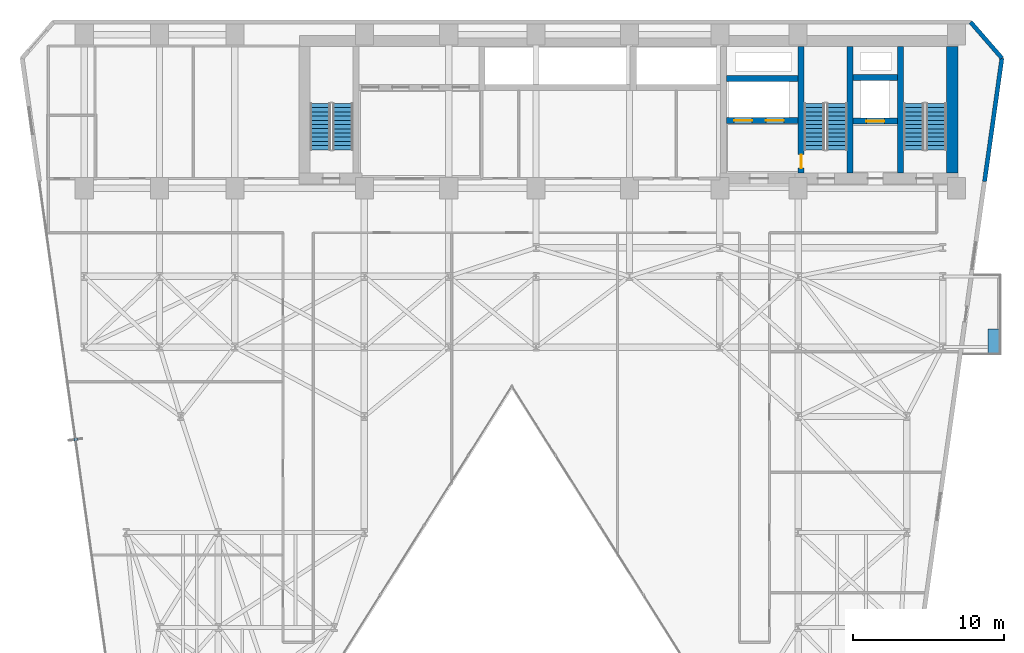
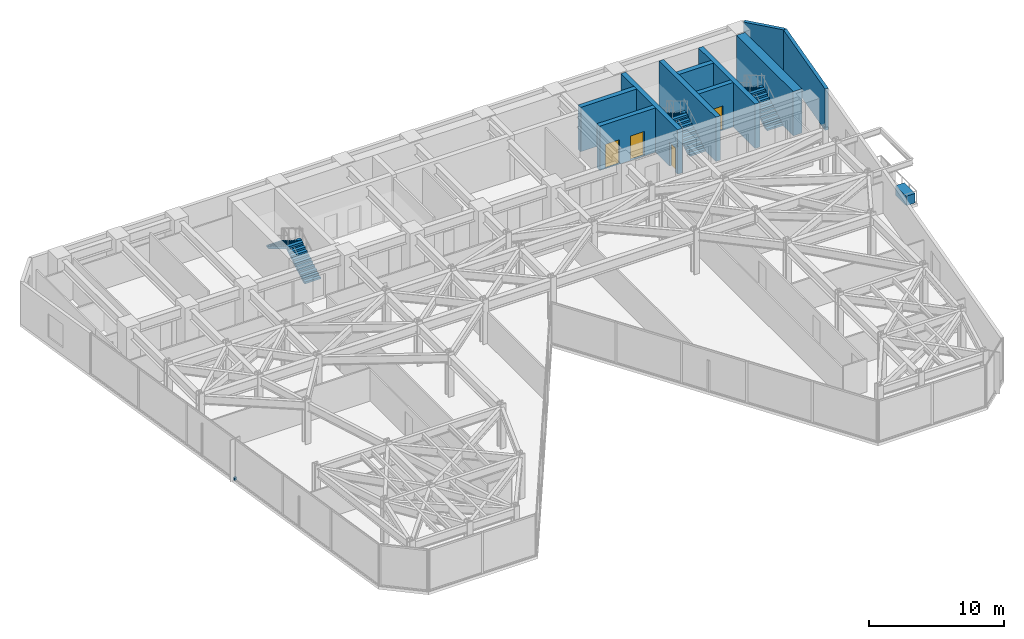
# One storey, part 21 of 25: 10 walls, 6 stair flights, 4 doors, 2 discrete accessories, 4 openings, 3 elements without a shape of their own.
"""IFC4 building model written with IfcOpenShell, lengths in metres."""

from ifc_helpers import new_model, si_unit, direction, frame, frame_2d, origin, origin_2d, place, context, subcontext, project, spatial, polyline, rectangle, outline, extrude, material, layer, layer_set, type_object, element, fill, aggregate, save


model = new_model("IFC4")

# Units and contexts
model_context = context("Model", 3, precision=1e-05, world=origin(), true_north=direction((0.0, 1.0)))
body_context = subcontext(model_context, "Body", "Model", "MODEL_VIEW")
ifc_project = project(units=[si_unit("LENGTHUNIT", "METRE"), si_unit("AREAUNIT", "SQUARE_METRE"), si_unit("VOLUMEUNIT", "CUBIC_METRE"), si_unit("PLANEANGLEUNIT", "RADIAN"), si_unit("MASSUNIT", "GRAM", prefix="KILO")], contexts=[model_context])

# Site, building, storey
site_placement = place(None, origin())
site = spatial("IfcSite", under=ifc_project, at=site_placement, CompositionType="ELEMENT")
building_placement = place(site_placement, origin())
building = spatial("IfcBuilding", under=site, at=building_placement, Name="Kravanh Interchange Tower", CompositionType="ELEMENT")
storey_placement = place(building_placement, frame((0.0, 0.0, 41.5)))
storey = spatial("IfcBuildingStorey", under=building, at=storey_placement, Name="L09", CompositionType="ELEMENT", Elevation=41.5)

# Walls
ifc_material_1 = material(Name="Concrete C80/95", Category="concrete")
ifc_layer_1 = layer(ifc_material_1, 0.39990234375)
ifc_layer_set_1 = layer_set([ifc_layer_1], Name="Core Shear Wall Concrete C80/95 400mm")
wall_type_1 = type_object("IfcWallType", Name="Core Shear Wall Concrete C80/95 400mm", PredefinedType="SHEAR", material=ifc_layer_set_1)
for number, where, z_axis, x_axis, name in (
    (1, (62.800048828125, 38.375, 0.0), (0.0, 0.0, 1.0), (0.0, 1.0, 0.0), "L09 Stair ST1 West Shear Wall"),
    (2, (59.449951171875, 38.375, 0.0), (0.0, 0.0, 1.0), (0.0, 1.0, 0.0), "L09 Stair ST2 East Shear Wall"),
):
    element("IfcWall", number, at=place(storey_placement, frame(where, z_axis=z_axis, x_axis=x_axis)), inside=storey, type_object=wall_type_1, Name=name, PredefinedType="SHEAR", context=body_context, shape_type="SweptSolid", body=[
        extrude(rectangle(XDim=8.375, YDim=0.39990234375, at=frame_2d((4.1875, 0.0))), origin(), (0.0, 0.0, 1.0), 4.0),
    ])

# Wall, opening, door
wall_1_placement = place(storey_placement, frame((56.199951171875, 38.375, 0.0), z_axis=(0.0, 0.0, 1.0), x_axis=(0.0, 1.0, 0.0)))
wall_1 = element("IfcWall", 3, at=wall_1_placement, inside=storey, type_object=wall_type_1, Name="L09 Stair ST2 West Shear Wall", PredefinedType="SHEAR", context=body_context, shape_type="SweptSolid", body=[
    extrude(rectangle(XDim=8.375, YDim=0.39990234375, at=frame_2d((4.1875, 0.0))), origin(), (0.0, 0.0, 1.0), 4.0),
])
opening_1_placement = place(wall_1_placement, frame((0.304931640625, 0.0, 0.0)))
opening_1 = element("IfcOpeningElement", 4, at=opening_1_placement, cuts=wall_1, Name="Opening D-STAIR-90", PredefinedType="OPENING", context=body_context, shape_type="SweptSolid", body=[
    extrude(rectangle(XDim=0.89990234375, YDim=2.14990234375, at=frame_2d((0.449951171875, 1.074951171875))), frame((0.0, 0.2099609375, 0.0), z_axis=(0.0, -1.0, 0.0), x_axis=(1.0, 0.0, 0.0)), (0.0, 0.0, 1.0), 0.419921875),
])
ifc_material_2 = material(Name="Structural Steel S355", Category="steel")
door_type_1 = type_object("IfcDoorType", Name="Fire-Rated Stair Lobby Door 900x2150", OperationType="NOTDEFINED", PredefinedType="DOOR", material=ifc_material_2)
door_1_placement = place(opening_1_placement, origin())
door_1 = element("IfcDoor", 5, at=door_1_placement, inside=storey, type_object=door_type_1, Name="L09 Firefighting Lobby to Stair ST2 Door", OperationType="SINGLE_SWING_LEFT", OverallHeight=2.14990234375, OverallWidth=0.89990234375, PredefinedType="DOOR", context=body_context, shape_type="SweptSolid", body=[
    extrude(rectangle(XDim=0.89990234375, YDim=2.14990234375, at=frame_2d((0.449951171875, 1.074951171875))), frame((0.0, 0.02490234375, 0.0), z_axis=(0.0, -1.0, 0.0), x_axis=(1.0, 0.0, 0.0)), (0.0, 0.0, 1.0), 0.050048828125),
])
fill(opening_1, door_1)

wall_2_placement = place(storey_placement, frame((59.64990234375, 41.800048828125, 0.0), z_axis=(0.0, 0.0, 1.0), x_axis=(1.0, 0.0, 0.0)))
wall_2 = element("IfcWall", 6, at=wall_2_placement, inside=storey, type_object=wall_type_1, Name="L09 Service Lift Shaft South Wall", PredefinedType="SHEAR", context=body_context, shape_type="SweptSolid", body=[
    extrude(rectangle(XDim=2.9501953125, YDim=0.39990234375, at=frame_2d((1.47509765625, 0.0))), origin(), (0.0, 0.0, 1.0), 4.0),
])
opening_2_placement = place(wall_2_placement, frame((0.8701171875, 0.0, 0.0)))
opening_2 = element("IfcOpeningElement", 7, at=opening_2_placement, cuts=wall_2, Name="Opening LD02", PredefinedType="OPENING", context=body_context, shape_type="SweptSolid", body=[
    extrude(rectangle(XDim=1.199951171875, YDim=2.199951171875, at=frame_2d((0.60009765625, 1.10009765625))), frame((0.0, 0.2099609375, 0.0), z_axis=(0.0, -1.0, 0.0), x_axis=(1.0, 0.0, 0.0)), (0.0, 0.0, 1.0), 0.419921875),
])
ifc_material_3 = material(Name="Stainless Steel 316", Category="steel")
door_type_2 = type_object("IfcDoorType", Name="Fire and Service Lift Sliding Landing Door 1200x2200", OperationType="DOUBLE_DOOR_SLIDING", PredefinedType="DOOR", material=ifc_material_3)
door_2_placement = place(opening_2_placement, origin())
door_2 = element("IfcDoor", 8, at=door_2_placement, inside=storey, type_object=door_type_2, Name="L09 Lift LS-01 Landing Door", OperationType="DOUBLE_DOOR_SLIDING", OverallHeight=2.199951171875, OverallWidth=1.199951171875, PredefinedType="DOOR", context=body_context, shape_type="SweptSolid", body=[
    extrude(rectangle(XDim=1.199951171875, YDim=2.199951171875, at=frame_2d((0.60009765625, 1.10009765625))), frame((0.0, 0.02490234375, 0.0), z_axis=(0.0, -1.0, 0.0), x_axis=(1.0, 0.0, 0.0)), (0.0, 0.0, 1.0), 0.050048828125),
])
fill(opening_2, door_2)

# Wall
wall_3_placement = place(storey_placement, frame((59.64990234375, 44.699951171875, 0.0), z_axis=(0.0, 0.0, 1.0), x_axis=(1.0, 0.0, 0.0)))
element("IfcWall", 9, at=wall_3_placement, inside=storey, type_object=wall_type_1, Name="L09 Service Lift Shaft North Wall", PredefinedType="SHEAR", context=body_context, shape_type="SweptSolid", body=[
    extrude(rectangle(XDim=2.9501953125, YDim=0.39990234375, at=frame_2d((1.47509765625, 0.0))), origin(), (0.0, 0.0, 1.0), 4.0),
])

# Wall, openings, doors
wall_4_placement = place(storey_placement, frame((51.25, 41.85009765625, 0.0), z_axis=(0.0, 0.0, 1.0), x_axis=(1.0, 0.0, 0.0)))
wall_4 = element("IfcWall", 10, at=wall_4_placement, inside=storey, type_object=wall_type_1, Name="L09 Fire Lift Shaft South Wall", PredefinedType="SHEAR", context=body_context, shape_type="SweptSolid", body=[
    extrude(rectangle(XDim=4.75, YDim=0.39990234375, at=frame_2d((2.375, 0.0))), origin(), (0.0, 0.0, 1.0), 4.0),
])
opening_3_placement = place(wall_4_placement, frame((0.5, 0.0, 0.0)))
opening_3 = element("IfcOpeningElement", 11, at=opening_3_placement, cuts=wall_4, Name="Opening LD02", PredefinedType="OPENING", context=body_context, shape_type="SweptSolid", body=[
    extrude(rectangle(XDim=1.199951171875, YDim=2.199951171875, at=frame_2d((0.60009765625, 1.10009765625))), frame((0.0, 0.2099609375, 0.0), z_axis=(0.0, -1.0, 0.0), x_axis=(1.0, 0.0, 0.0)), (0.0, 0.0, 1.0), 0.419921875),
])
opening_4_placement = place(wall_4_placement, frame((2.60009765625, 0.0, 0.0)))
opening_4 = element("IfcOpeningElement", 12, at=opening_4_placement, cuts=wall_4, Name="Opening LD02", PredefinedType="OPENING", context=body_context, shape_type="SweptSolid", body=[
    extrude(rectangle(XDim=1.199951171875, YDim=2.199951171875, at=frame_2d((0.60009765625, 1.10009765625))), frame((0.0, 0.2099609375, 0.0), z_axis=(0.0, -1.0, 0.0), x_axis=(1.0, 0.0, 0.0)), (0.0, 0.0, 1.0), 0.419921875),
])
door_3_placement = place(opening_3_placement, origin())
door_3 = element("IfcDoor", 13, at=door_3_placement, inside=storey, type_object=door_type_2, Name="L09 Lift FSAE-01 Landing Door", OperationType="DOUBLE_DOOR_SLIDING", OverallHeight=2.199951171875, OverallWidth=1.199951171875, PredefinedType="DOOR", context=body_context, shape_type="SweptSolid", body=[
    extrude(rectangle(XDim=1.199951171875, YDim=2.199951171875, at=frame_2d((0.60009765625, 1.10009765625))), frame((0.0, 0.02490234375, 0.0), z_axis=(0.0, -1.0, 0.0), x_axis=(1.0, 0.0, 0.0)), (0.0, 0.0, 1.0), 0.050048828125),
])
fill(opening_3, door_3)
door_4_placement = place(opening_4_placement, origin())
door_4 = element("IfcDoor", 14, at=door_4_placement, inside=storey, type_object=door_type_2, Name="L09 Lift FSAE-02 Landing Door", OperationType="DOUBLE_DOOR_SLIDING", OverallHeight=2.199951171875, OverallWidth=1.199951171875, PredefinedType="DOOR", context=body_context, shape_type="SweptSolid", body=[
    extrude(rectangle(XDim=1.199951171875, YDim=2.199951171875, at=frame_2d((0.60009765625, 1.10009765625))), frame((0.0, 0.02490234375, 0.0), z_axis=(0.0, -1.0, 0.0), x_axis=(1.0, 0.0, 0.0)), (0.0, 0.0, 1.0), 0.050048828125),
])
fill(opening_4, door_4)

# Walls
wall_5_placement = place(storey_placement, frame((51.25, 44.64990234375, 0.0), z_axis=(0.0, 0.0, 1.0), x_axis=(1.0, 0.0, 0.0)))
element("IfcWall", 15, at=wall_5_placement, inside=storey, type_object=wall_type_1, Name="L09 Fire Lift Shaft North Wall", PredefinedType="SHEAR", context=body_context, shape_type="SweptSolid", body=[
    extrude(rectangle(XDim=4.75, YDim=0.39990234375, at=frame_2d((2.375, 0.0))), origin(), (0.0, 0.0, 1.0), 4.0),
])
ifc_material_4 = material(Name="Concrete C80/95", Category="concrete")
ifc_layer_2 = layer(ifc_material_4, 0.75)
ifc_layer_set_2 = layer_set([ifc_layer_2], Name="Core Shear Wall Concrete C80/95 750mm")
wall_type_2 = type_object("IfcWallType", Name="Core Shear Wall Concrete C80/95 750mm", PredefinedType="SHEAR", material=ifc_layer_set_2)
wall_6_placement = place(storey_placement, frame((66.22509765625, 38.375, 0.0), z_axis=(0.0, 0.0, 1.0), x_axis=(0.0, 1.0, 0.0)))
element("IfcWall", 16, at=wall_6_placement, inside=storey, type_object=wall_type_2, Name="L09 Stair ST1 East Shear Wall", PredefinedType="SHEAR", context=body_context, shape_type="SweptSolid", body=[
    extrude(rectangle(XDim=8.375, YDim=0.75, at=frame_2d((4.1875, 0.0))), origin(), (0.0, 0.0, 1.0), 4.0),
])
ifc_material_5 = material(Name="Insulated Precast Concrete C40/50 with Bronze Cladding", Category="concrete")
ifc_layer_3 = layer(ifc_material_5, 0.280029296875)
ifc_layer_set_3 = layer_set([ifc_layer_3], Name="Exterior Insulated Concrete C40/50 Bronze Spandrel Wall 280mm")
wall_type_3 = type_object("IfcWallType", Name="Exterior Insulated Concrete C40/50 Bronze Spandrel Wall 280mm", PredefinedType="STANDARD", material=ifc_layer_set_3)
wall_7_placement = place(storey_placement, frame((67.4453125, 48.3798828125, 0.0), z_axis=(0.0, 0.0, 1.0), x_axis=(0.656070053895, -0.754699996278, 0.0)))
element("IfcWall", 17, at=wall_7_placement, inside=storey, type_object=wall_type_3, Name="L09 Exterior Wall 4", PredefinedType="STANDARD", context=body_context, shape_type="SweptSolid", body=[
    extrude(rectangle(XDim=3.1708984375, YDim=0.280029296875, at=frame_2d((1.58544921875, 0.0))), origin(), (0.0, 0.0, 1.0), 3.739990234375),
])
wall_8_placement = place(storey_placement, frame((69.525634765625, 45.98681640625, 0.0), z_axis=(0.0, 0.0, 1.0), x_axis=(-0.139180172484, -0.990267074878, 0.0)))
element("IfcWall", 18, at=wall_8_placement, inside=storey, type_object=wall_type_3, Name="L09 Exterior Wall 5", PredefinedType="STANDARD", context=body_context, shape_type="SweptSolid", body=[
    extrude(rectangle(XDim=8.267333984375, YDim=0.280029296875, at=frame_2d((4.1337890625, 0.0))), origin(), (0.0, 0.0, 1.0), 3.739990234375),
])

# Stair, stair flights
ifc_material_6 = material(Name="Concrete C50/60", Category="concrete")
stair_type = type_object("IfcStairType", Name="Core Fire Exit Dogleg Stair Concrete C50/60", PredefinedType="HALF_TURN_STAIR", material=ifc_material_6)
stair_1_placement = place(storey_placement, origin())
stair_1 = element("IfcStair", 19, at=stair_1_placement, inside=storey, type_object=stair_type, Name="L09 Exit Stair ST1", PredefinedType="HALF_TURN_STAIR")
ifc_material_7 = material(Name="Precast Concrete C50/60", Category="concrete")
ifc_layer_4 = layer(ifc_material_7, 0.199951171875)
ifc_layer_set_4 = layer_set([ifc_layer_4], Name="Precast Concrete C50/60 Stair Flight 1350mm")
stair_flight_type = type_object("IfcStairFlightType", Name="Precast Concrete C50/60 Stair Flight 1350mm", PredefinedType="STRAIGHT", material=ifc_layer_set_4)
stair_flight_1_placement = place(storey_placement, frame((65.175048828125, 39.89990234375, 0.0), z_axis=(0.0, 0.0, 1.0), x_axis=(0.0, 1.0, 0.0)))
stair_flight_1 = element("IfcStairFlight", 20, at=stair_flight_1_placement, type_object=stair_flight_type, Name="ST1 flight 1", NumberOfRisers=12, NumberOfTreads=11, PredefinedType="STRAIGHT", RiserHeight=0.166666667, TreadLength=0.28, context=body_context, shape_type="SweptSolid", body=[
    extrude(outline(polyline([(0.0, 0.0), (0.0, 0.166748046875), (0.280029296875, 0.166748046875), (0.280029296875, 0.333251953125), (0.56005859375, 0.333251953125), (0.56005859375, 0.5), (0.840087890625, 0.5), (0.840087890625, 0.666748046875), (1.1201171875, 0.666748046875), (1.1201171875, 0.833251953125), (1.39990234375, 0.833251953125), (1.39990234375, 1.0), (1.679931640625, 1.0), (1.679931640625, 1.166748046875), (1.9599609375, 1.166748046875), (1.9599609375, 1.333251953125), (2.239990234375, 1.333251953125), (2.239990234375, 1.5), (2.52001953125, 1.5), (2.52001953125, 1.666748046875), (2.800048828125, 1.666748046875), (2.800048828125, 1.833251953125), (3.080078125, 1.833251953125), (3.080078125, 2.0), (3.080078125, 1.658935546875), (0.29296875, 0.0), (0.0, 0.0)])), frame((0.0, 0.675048828125, 0.0), z_axis=(0.0, -1.0, 0.0), x_axis=(1.0, 0.0, 0.0)), (0.0, 0.0, 1.0), 1.35009765625),
])
stair_flight_2_placement = place(storey_placement, frame((63.675048828125, 42.97998046875, 2.0), z_axis=(0.0, 0.0, 1.0), x_axis=(0.0, -1.0, 0.0)))
stair_flight_2 = element("IfcStairFlight", 21, at=stair_flight_2_placement, type_object=stair_flight_type, Name="ST1 flight 2", NumberOfRisers=12, NumberOfTreads=11, PredefinedType="STRAIGHT", RiserHeight=0.166666667, TreadLength=0.28, context=body_context, shape_type="SweptSolid", body=[
    extrude(outline(polyline([(0.0, 0.0), (0.0, 0.166748046875), (0.280029296875, 0.166748046875), (0.280029296875, 0.333251953125), (0.56005859375, 0.333251953125), (0.56005859375, 0.5), (0.840087890625, 0.5), (0.840087890625, 0.666748046875), (1.1201171875, 0.666748046875), (1.1201171875, 0.833251953125), (1.39990234375, 0.833251953125), (1.39990234375, 1.0), (1.679931640625, 1.0), (1.679931640625, 1.166748046875), (1.9599609375, 1.166748046875), (1.9599609375, 1.333251953125), (2.239990234375, 1.333251953125), (2.239990234375, 1.5), (2.52001953125, 1.5), (2.52001953125, 1.666748046875), (2.800048828125, 1.666748046875), (2.800048828125, 1.833251953125), (3.080078125, 1.833251953125), (3.080078125, 2.0), (3.080078125, 1.658935546875), (0.29296875, 0.0), (0.0, 0.0)])), frame((0.0, 0.675048828125, 0.0), z_axis=(0.0, -1.0, 0.0), x_axis=(1.0, 0.0, 0.0)), (0.0, 0.0, 1.0), 1.35009765625),
])
aggregate(stair_1, [stair_flight_1, stair_flight_2])

stair_2_placement = place(storey_placement, origin())
stair_2 = element("IfcStair", 22, at=stair_2_placement, inside=storey, type_object=stair_type, Name="L09 Exit Stair ST2", PredefinedType="HALF_TURN_STAIR")
stair_flight_3_placement = place(storey_placement, frame((58.574951171875, 39.89990234375, 0.0), z_axis=(0.0, 0.0, 1.0), x_axis=(0.0, 1.0, 0.0)))
stair_flight_3 = element("IfcStairFlight", 23, at=stair_flight_3_placement, type_object=stair_flight_type, Name="ST2 flight 1", NumberOfRisers=12, NumberOfTreads=11, PredefinedType="STRAIGHT", RiserHeight=0.166666667, TreadLength=0.28, context=body_context, shape_type="SweptSolid", body=[
    extrude(outline(polyline([(0.0, 0.0), (0.0, 0.166748046875), (0.280029296875, 0.166748046875), (0.280029296875, 0.333251953125), (0.56005859375, 0.333251953125), (0.56005859375, 0.5), (0.840087890625, 0.5), (0.840087890625, 0.666748046875), (1.1201171875, 0.666748046875), (1.1201171875, 0.833251953125), (1.39990234375, 0.833251953125), (1.39990234375, 1.0), (1.679931640625, 1.0), (1.679931640625, 1.166748046875), (1.9599609375, 1.166748046875), (1.9599609375, 1.333251953125), (2.239990234375, 1.333251953125), (2.239990234375, 1.5), (2.52001953125, 1.5), (2.52001953125, 1.666748046875), (2.800048828125, 1.666748046875), (2.800048828125, 1.833251953125), (3.080078125, 1.833251953125), (3.080078125, 2.0), (3.080078125, 1.658935546875), (0.29296875, 0.0), (0.0, 0.0)])), frame((0.0, 0.675048828125, 0.0), z_axis=(0.0, -1.0, 0.0), x_axis=(1.0, 0.0, 0.0)), (0.0, 0.0, 1.0), 1.35009765625),
])
stair_flight_4_placement = place(storey_placement, frame((57.074951171875, 42.97998046875, 2.0), z_axis=(0.0, 0.0, 1.0), x_axis=(0.0, -1.0, 0.0)))
stair_flight_4 = element("IfcStairFlight", 24, at=stair_flight_4_placement, type_object=stair_flight_type, Name="ST2 flight 2", NumberOfRisers=12, NumberOfTreads=11, PredefinedType="STRAIGHT", RiserHeight=0.166666667, TreadLength=0.28, context=body_context, shape_type="SweptSolid", body=[
    extrude(outline(polyline([(0.0, 0.0), (0.0, 0.166748046875), (0.280029296875, 0.166748046875), (0.280029296875, 0.333251953125), (0.56005859375, 0.333251953125), (0.56005859375, 0.5), (0.840087890625, 0.5), (0.840087890625, 0.666748046875), (1.1201171875, 0.666748046875), (1.1201171875, 0.833251953125), (1.39990234375, 0.833251953125), (1.39990234375, 1.0), (1.679931640625, 1.0), (1.679931640625, 1.166748046875), (1.9599609375, 1.166748046875), (1.9599609375, 1.333251953125), (2.239990234375, 1.333251953125), (2.239990234375, 1.5), (2.52001953125, 1.5), (2.52001953125, 1.666748046875), (2.800048828125, 1.666748046875), (2.800048828125, 1.833251953125), (3.080078125, 1.833251953125), (3.080078125, 2.0), (3.080078125, 1.658935546875), (0.29296875, 0.0), (0.0, 0.0)])), frame((0.0, 0.675048828125, 0.0), z_axis=(0.0, -1.0, 0.0), x_axis=(1.0, 0.0, 0.0)), (0.0, 0.0, 1.0), 1.35009765625),
])
aggregate(stair_2, [stair_flight_3, stair_flight_4])

stair_3_placement = place(storey_placement, origin())
stair_3 = element("IfcStair", 25, at=stair_3_placement, inside=storey, type_object=stair_type, Name="L09 Exit Stair ST3", PredefinedType="HALF_TURN_STAIR")
stair_flight_5_placement = place(storey_placement, frame((25.77490234375, 39.89990234375, 0.0), z_axis=(0.0, 0.0, 1.0), x_axis=(0.0, 1.0, 0.0)))
stair_flight_5 = element("IfcStairFlight", 26, at=stair_flight_5_placement, type_object=stair_flight_type, Name="ST3 flight 1", NumberOfRisers=12, NumberOfTreads=11, PredefinedType="STRAIGHT", RiserHeight=0.166666667, TreadLength=0.28, context=body_context, shape_type="SweptSolid", body=[
    extrude(outline(polyline([(0.0, 0.0), (0.0, 0.166748046875), (0.280029296875, 0.166748046875), (0.280029296875, 0.333251953125), (0.56005859375, 0.333251953125), (0.56005859375, 0.5), (0.840087890625, 0.5), (0.840087890625, 0.666748046875), (1.1201171875, 0.666748046875), (1.1201171875, 0.833251953125), (1.39990234375, 0.833251953125), (1.39990234375, 1.0), (1.679931640625, 1.0), (1.679931640625, 1.166748046875), (1.9599609375, 1.166748046875), (1.9599609375, 1.333251953125), (2.239990234375, 1.333251953125), (2.239990234375, 1.5), (2.52001953125, 1.5), (2.52001953125, 1.666748046875), (2.800048828125, 1.666748046875), (2.800048828125, 1.833251953125), (3.080078125, 1.833251953125), (3.080078125, 2.0), (3.080078125, 1.658935546875), (0.29296875, 0.0), (0.0, 0.0)])), frame((0.0, 0.675048828125, 0.0), z_axis=(0.0, -1.0, 0.0), x_axis=(1.0, 0.0, 0.0)), (0.0, 0.0, 1.0), 1.35009765625),
])
stair_flight_6_placement = place(storey_placement, frame((24.27490234375, 42.97998046875, 2.0), z_axis=(0.0, 0.0, 1.0), x_axis=(0.0, -1.0, 0.0)))
stair_flight_6 = element("IfcStairFlight", 27, at=stair_flight_6_placement, type_object=stair_flight_type, Name="ST3 flight 2", NumberOfRisers=12, NumberOfTreads=11, PredefinedType="STRAIGHT", RiserHeight=0.166666667, TreadLength=0.28, context=body_context, shape_type="SweptSolid", body=[
    extrude(outline(polyline([(0.0, 0.0), (0.0, 0.166748046875), (0.280029296875, 0.166748046875), (0.280029296875, 0.333251953125), (0.56005859375, 0.333251953125), (0.56005859375, 0.5), (0.840087890625, 0.5), (0.840087890625, 0.666748046875), (1.1201171875, 0.666748046875), (1.1201171875, 0.833251953125), (1.39990234375, 0.833251953125), (1.39990234375, 1.0), (1.679931640625, 1.0), (1.679931640625, 1.166748046875), (1.9599609375, 1.166748046875), (1.9599609375, 1.333251953125), (2.239990234375, 1.333251953125), (2.239990234375, 1.5), (2.52001953125, 1.5), (2.52001953125, 1.666748046875), (2.800048828125, 1.666748046875), (2.800048828125, 1.833251953125), (3.080078125, 1.833251953125), (3.080078125, 2.0), (3.080078125, 1.658935546875), (0.29296875, 0.0), (0.0, 0.0)])), frame((0.0, 0.675048828125, 0.0), z_axis=(0.0, -1.0, 0.0), x_axis=(1.0, 0.0, 0.0)), (0.0, 0.0, 1.0), 1.35009765625),
])
aggregate(stair_3, [stair_flight_5, stair_flight_6])

# Discrete accessories
ifc_material_8 = material(Name="Stainless Steel 316", Category="steel")
discrete_accessory_type_1 = type_object("IfcDiscreteAccessoryType", Name="Solar Fin Curtain-Wall Mounting Bracket Stainless 316", PredefinedType="BRACKET", material=ifc_material_8)
discrete_accessory_1_placement = place(storey_placement, frame((8.03271484375, 20.66845703125, 0.0), z_axis=(0.0, 0.0, 1.0), x_axis=(-0.990267798532, -0.139175023587, 0.0)))
element("IfcDiscreteAccessory", 28, at=discrete_accessory_1_placement, inside=storey, type_object=discrete_accessory_type_1, Name="L09 Solar Fin Mounting Bracket 1", PredefinedType="BRACKET", context=body_context, shape_type="SweptSolid", body=[
    extrude(rectangle(XDim=0.239990234375, YDim=0.179931640625, at=origin_2d()), origin(), (0.0, 0.0, 1.0), 0.219970703125),
])
ifc_material_9 = material(Name="Architectural GRC Concrete C40/50 with Root Barrier", Category="concrete")
discrete_accessory_type_2 = type_object("IfcDiscreteAccessoryType", Name="Structural Balcony Tree Planter Box Concrete C40/50 1600x750x850", PredefinedType="USERDEFINED", material=ifc_material_9)
discrete_accessory_2_placement = place(storey_placement, frame((68.965087890625, 27.219970703125, 0.0), z_axis=(0.0, 0.0, 1.0), x_axis=(1.0, 0.0, 0.0)))
element("IfcDiscreteAccessory", 29, at=discrete_accessory_2_placement, inside=storey, type_object=discrete_accessory_type_2, Name="L09 E Balcony TREE PLANTER", ObjectType="PLANTER", PredefinedType="USERDEFINED", context=body_context, shape_type="SweptSolid", body=[
    extrude(rectangle(XDim=0.75, YDim=1.60009765625, at=origin_2d()), origin(), (0.0, 0.0, 1.0), 0.85009765625),
])

save(model, "model.ifc")
